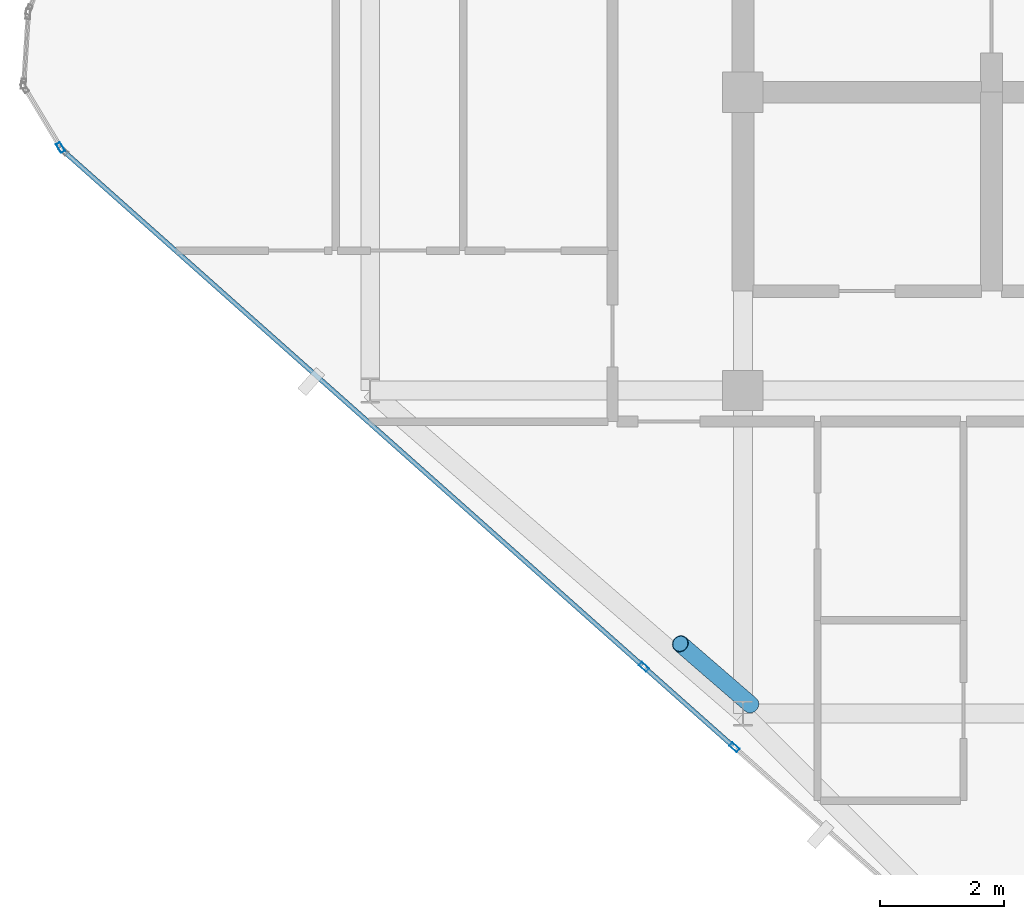
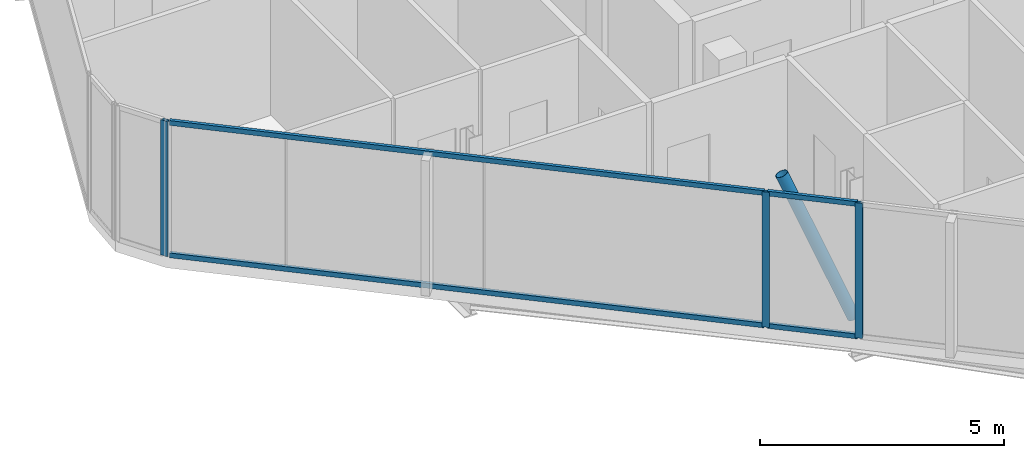
# One storey, part 3 of 27: 8 members, 4 elements without a shape of their own.
"""IFC4 building model written with IfcOpenShell, lengths in metres."""

from ifc_helpers import new_model, si_unit, direction, frame, origin, origin_2d, place, context, subcontext, project, spatial, hollow_rectangle, hollow_circle, extrude, material, layer, layer_set, material_profile, profile_set, type_object, element, aggregate, save


model = new_model("IFC4")

# Units and contexts
model_context = context("Model", 3, precision=1e-05, world=origin(), true_north=direction((0.0, 1.0)))
body_context = subcontext(model_context, "Body", "Model", "MODEL_VIEW")
ifc_project = project(units=[si_unit("LENGTHUNIT", "METRE"), si_unit("AREAUNIT", "SQUARE_METRE"), si_unit("VOLUMEUNIT", "CUBIC_METRE"), si_unit("PLANEANGLEUNIT", "RADIAN"), si_unit("MASSUNIT", "GRAM", prefix="KILO")], contexts=[model_context])

# Site, building, storey
site_placement = place(None, origin())
site = spatial("IfcSite", under=ifc_project, at=site_placement, CompositionType="ELEMENT")
building_placement = place(site_placement, origin())
building = spatial("IfcBuilding", under=site, at=building_placement, Name="Keshet Zoharim Tower", CompositionType="ELEMENT")
storey_placement = place(building_placement, frame((0.0, 0.0, 295.39990234375)))
storey = spatial("IfcBuildingStorey", under=building, at=storey_placement, Name="L74", CompositionType="ELEMENT", Elevation=295.39990234375)

# Curtain wall, member
ifc_material_1 = material(Name="Aluminium 6063-T6", Category="aluminium")
ifc_layer = layer(ifc_material_1, 0.260009765625)
ifc_layer_set = layer_set([ifc_layer], Name="Aluminium 6063-T6")
curtain_wall_type = type_object("IfcCurtainWallType", Name="CW-SYS-06", PredefinedType="NOTDEFINED", material=ifc_layer_set)
curtain_wall_1_placement = place(storey_placement, origin())
curtain_wall_1 = element("IfcCurtainWall", 1, at=curtain_wall_1_placement, inside=storey, type_object=curtain_wall_type, Name="L74 Unitised Curtain Wall 01", PredefinedType="NOTDEFINED")
ifc_material_profile_1 = material_profile(ifc_material_1, hollow_rectangle(XDim=0.074951171875, YDim=0.159912109375, WallThickness=0.00390625, at=origin_2d()), Name="MUL-75x160")
ifc_profile_set_1 = profile_set([ifc_material_profile_1], Name="Aluminium 6063-T6")
member_type_1 = type_object("IfcMemberType", Name="CWM-M15", PredefinedType="MULLION", material=ifc_profile_set_1)
member_1_placement = place(storey_placement, frame((4.016845703125, 21.81005859375, 0.0), z_axis=(0.0, 0.0, 1.0), x_axis=(-0.856826433805, -0.515604947933, 0.0)))
member_1 = element("IfcMember", 2, at=member_1_placement, type_object=member_type_1, Name="CW-06 mullion 1", PredefinedType="MULLION", context=body_context, shape_type="SweptSolid", body=[
    extrude(hollow_rectangle(XDim=0.074951171875, YDim=0.159912109375, WallThickness=0.00390625, at=origin_2d()), origin(), (0.0, 0.0, 1.0), 3.380126953125),
])
aggregate(curtain_wall_1, [member_1])

curtain_wall_2_placement = place(storey_placement, origin())
curtain_wall_2 = element("IfcCurtainWall", 3, at=curtain_wall_2_placement, inside=storey, type_object=curtain_wall_type, Name="L74 Unitised Curtain Wall 16", PredefinedType="NOTDEFINED")
member_2_placement = place(storey_placement, frame((14.863037109375, 12.155029296875, 0.0), z_axis=(0.0, 0.0, 1.0), x_axis=(-0.664362180559, -0.747410792699, 0.0)))
member_2 = element("IfcMember", 4, at=member_2_placement, type_object=member_type_1, Name="CW-06 mullion 2", PredefinedType="MULLION", context=body_context, shape_type="SweptSolid", body=[
    extrude(hollow_rectangle(XDim=0.074951171875, YDim=0.159912109375, WallThickness=0.00390625, at=origin_2d()), origin(), (0.0, 0.0, 1.0), 3.380126953125),
])
aggregate(curtain_wall_2, [member_2])

# Curtain wall, members
curtain_wall_3_placement = place(storey_placement, origin())
curtain_wall_3 = element("IfcCurtainWall", 5, at=curtain_wall_3_placement, inside=storey, type_object=curtain_wall_type, Name="L74 Unitised Curtain Wall 16 Part 2", PredefinedType="NOTDEFINED")
member_3_placement = place(storey_placement, frame((13.406005859375, 13.450439453125, 0.0), z_axis=(0.0, 0.0, 1.0), x_axis=(-0.664363838836, -0.747409318679, 0.0)))
member_3 = element("IfcMember", 6, at=member_3_placement, type_object=member_type_1, Name="CW-06 mullion 2", PredefinedType="MULLION", context=body_context, shape_type="SweptSolid", body=[
    extrude(hollow_rectangle(XDim=0.074951171875, YDim=0.159912109375, WallThickness=0.00390625, at=origin_2d()), origin(), (0.0, 0.0, 1.0), 3.380126953125),
])
ifc_material_profile_2 = material_profile(ifc_material_1, hollow_rectangle(XDim=0.074951171875, YDim=0.1201171875, WallThickness=0.00390625, at=origin_2d()), Name="TRN-75x120")
ifc_profile_set_2 = profile_set([ifc_material_profile_2], Name="Aluminium 6063-T6")
member_type_2 = type_object("IfcMemberType", Name="CWT-T12", PredefinedType="USERDEFINED", material=ifc_profile_set_2)
member_4_placement = place(storey_placement, frame((14.8369140625, 12.178466796875, 0.03515625), z_axis=(-0.747452318941, 0.664315460387, 0.0), x_axis=(-0.664315460387, -0.747452318941, 0.0)))
member_4 = element("IfcMember", 7, at=member_4_placement, type_object=member_type_2, Name="CW-06 transom 1.1", ObjectType="TRANSOM", PredefinedType="USERDEFINED", context=body_context, shape_type="SweptSolid", body=[
    extrude(hollow_rectangle(XDim=0.074951171875, YDim=0.1201171875, WallThickness=0.00390625, at=origin_2d()), origin(), (0.0, 0.0, 1.0), 1.87939453125),
])
member_5_placement = place(storey_placement, frame((14.8369140625, 12.178466796875, 3.34521484375), z_axis=(-0.747452318941, 0.664315460387, 0.0), x_axis=(-0.664315460387, -0.747452318941, 0.0)))
member_5 = element("IfcMember", 8, at=member_5_placement, type_object=member_type_2, Name="CW-06 transom 1.2", ObjectType="TRANSOM", PredefinedType="USERDEFINED", context=body_context, shape_type="SweptSolid", body=[
    extrude(hollow_rectangle(XDim=0.074951171875, YDim=0.1201171875, WallThickness=0.00390625, at=origin_2d()), origin(), (0.0, 0.0, 1.0), 1.87939453125),
])
aggregate(curtain_wall_3, [member_3, member_4, member_5])

curtain_wall_4_placement = place(storey_placement, origin())
curtain_wall_4 = element("IfcCurtainWall", 9, at=curtain_wall_4_placement, inside=storey, type_object=curtain_wall_type, Name="L74 Unitised Curtain Wall 16 Part 3", PredefinedType="NOTDEFINED")
member_6_placement = place(storey_placement, frame((13.3798828125, 13.4736328125, 0.03515625), z_axis=(-0.747417985922, 0.664354088059, 0.0), x_axis=(-0.664354088059, -0.747417985922, 0.0)))
member_6 = element("IfcMember", 10, at=member_6_placement, type_object=member_type_2, Name="CW-06 transom 1.1", ObjectType="TRANSOM", PredefinedType="USERDEFINED", context=body_context, shape_type="SweptSolid", body=[
    extrude(hollow_rectangle(XDim=0.074951171875, YDim=0.1201171875, WallThickness=0.00390625, at=origin_2d()), origin(), (0.0, 0.0, 1.0), 12.432861328125),
])
member_7_placement = place(storey_placement, frame((13.3798828125, 13.4736328125, 3.34521484375), z_axis=(-0.747417985922, 0.664354088059, 0.0), x_axis=(-0.664354088059, -0.747417985922, 0.0)))
member_7 = element("IfcMember", 11, at=member_7_placement, type_object=member_type_2, Name="CW-06 transom 1.2", ObjectType="TRANSOM", PredefinedType="USERDEFINED", context=body_context, shape_type="SweptSolid", body=[
    extrude(hollow_rectangle(XDim=0.074951171875, YDim=0.1201171875, WallThickness=0.00390625, at=origin_2d()), origin(), (0.0, 0.0, 1.0), 12.432861328125),
])
aggregate(curtain_wall_4, [member_6, member_7])

# Member
ifc_material_2 = material(Name="Steel S355", Category="steel")
ifc_material_profile_3 = material_profile(ifc_material_2, hollow_circle(Radius=0.136474609375, WallThickness=0.010009765625, at=origin_2d()), Name="CHS273x10")
ifc_profile_set_3 = profile_set([ifc_material_profile_3], Name="Steel S355")
member_type_3 = type_object("IfcMemberType", Name="MB-BR-C273", PredefinedType="BRACE", material=ifc_profile_set_3)
member_8_placement = place(storey_placement, frame((15.1259765625, 12.842041015625, 0.0), z_axis=(-0.306658093735, 0.265528278364, 0.91403257433), x_axis=(-0.654589683411, -0.755984355904, 0.0)))
element("IfcMember", 12, at=member_8_placement, inside=storey, type_object=member_type_3, Name="L74 Perimeter Tube Brace 01", PredefinedType="BRACE", context=body_context, shape_type="SweptSolid", body=[
    extrude(hollow_circle(Radius=0.136474609375, WallThickness=0.010009765625, at=origin_2d()), origin(), (0.0, 0.0, 1.0), 3.697998046875),
])

save(model, "model.ifc")
